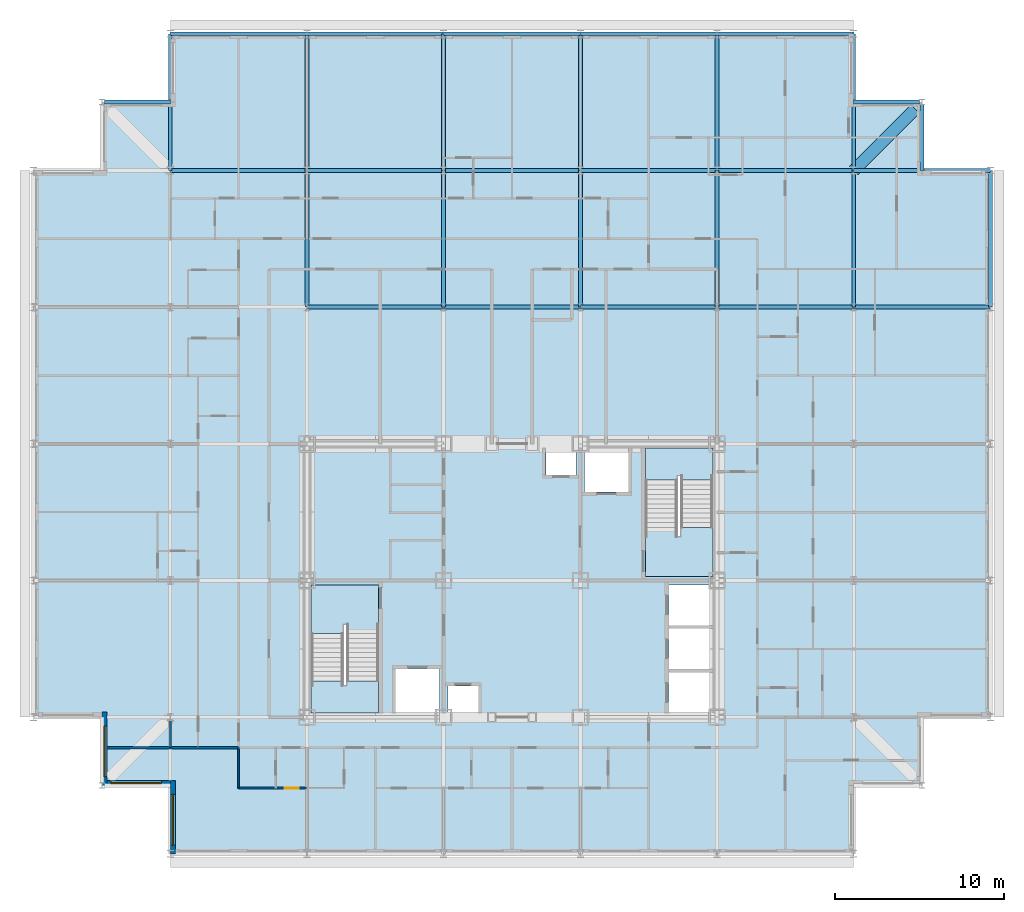
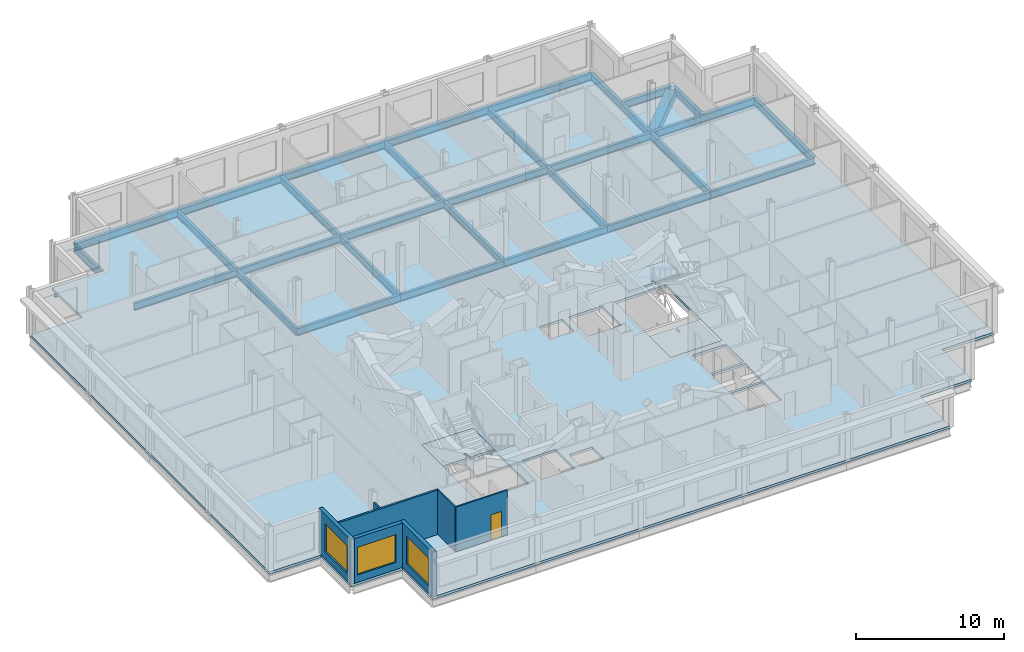
# One storey, part 6 of 15: 32 beams, 7 walls, 5 slabs, 3 windows, 1 door, 4 openings, 2 elements without a shape of their own.
"""IFC4 building model written with IfcOpenShell, lengths in metres."""

from ifc_helpers import new_model, si_unit, direction, frame, frame_2d, origin, origin_2d, place, context, subcontext, project, spatial, polyline, rectangle, hollow_rectangle, i_section, outline, extrude, material, layer, layer_set, material_profile, profile_set, type_object, element, fill, aggregate, save


model = new_model("IFC4")

# Units and contexts
model_context = context("Model", 3, precision=1e-05, world=origin(), true_north=direction((0.0, 1.0)))
body_context = subcontext(model_context, "Body", "Model", "MODEL_VIEW")
ifc_project = project(units=[si_unit("LENGTHUNIT", "METRE"), si_unit("AREAUNIT", "SQUARE_METRE"), si_unit("VOLUMEUNIT", "CUBIC_METRE"), si_unit("PLANEANGLEUNIT", "RADIAN"), si_unit("MASSUNIT", "GRAM", prefix="KILO")], contexts=[model_context])

# Site, building, storey
site_placement = place(None, origin())
site = spatial("IfcSite", under=ifc_project, at=site_placement, CompositionType="ELEMENT")
building_placement = place(site_placement, origin())
building = spatial("IfcBuilding", under=site, at=building_placement, Name="Kopane Lantern Tower", CompositionType="ELEMENT")
storey_placement = place(building_placement, frame((0.0, 0.0, 250.199951171875)))
storey = spatial("IfcBuildingStorey", under=building, at=storey_placement, Name="L64", CompositionType="ELEMENT", Elevation=250.199951171875)

# Beams
ifc_material_1 = material(Name="Steel S355JR", Category="steel")
ifc_material_profile_1 = material_profile(ifc_material_1, hollow_rectangle(XDim=0.699951171875, YDim=0.699951171875, WallThickness=0.06005859375, at=origin_2d()), Name="BOX 700x700x60")
ifc_profile_set_1 = profile_set([ifc_material_profile_1], Name="Steel S355JR")
beam_type_1 = type_object("IfcBeamType", Name="CORNER TIE BEAM BOX 700x700x60", PredefinedType="BEAM", material=ifc_profile_set_1)
beam_1_placement = place(storey_placement, frame((52.25244140625, 60.3525390625, -0.56005859375), z_axis=(-0.707083148333, -0.70713041325, 0.0), x_axis=(0.70713041325, -0.707083148333, 0.0)))
element("IfcBeam", 1, at=beam_1_placement, inside=storey, type_object=beam_type_1, Name="Corner Tie Beam L64", PredefinedType="BEAM", context=body_context, shape_type="SweptSolid", body=[
    extrude(hollow_rectangle(XDim=0.699951171875, YDim=0.699951171875, WallThickness=0.06005859375, at=origin_2d()), origin(), (0.0, 0.0, 1.0), 5.165283203125),
])
ifc_material_2 = material(Name="Steel S355JR", Category="steel")
ifc_material_profile_2 = material_profile(ifc_material_2, i_section(OverallWidth=0.22900390625, OverallDepth=0.6123046875, WebThickness=0.011962890625, FlangeThickness=0.01953125, FilletRadius=0.0126953125, at=origin_2d()), Name="UB 610x229x125")
ifc_profile_set_2 = profile_set([ifc_material_profile_2], Name="Steel S355JR")
beam_type_2 = type_object("IfcBeamType", Name="EDGE BEAM UB 610x229x125", PredefinedType="BEAM", material=ifc_profile_set_2)
beam_2_placement = place(storey_placement, frame((4.20361328125, 60.75, -0.51611328125), z_axis=(1.0, 0.0, 0.0), x_axis=(0.0, 1.0, 0.0)))
element("IfcBeam", 2, at=beam_2_placement, inside=storey, type_object=beam_type_2, Name="Edge Beam L64", PredefinedType="BEAM", context=body_context, shape_type="SweptSolid", body=[
    extrude(i_section(OverallWidth=0.22900390625, OverallDepth=0.6123046875, WebThickness=0.011962890625, FlangeThickness=0.01953125, FilletRadius=0.0126953125, at=origin_2d()), origin(), (0.0, 0.0, 1.0), 3.896484375),
])
for number, where, z_axis, x_axis, name in (
    (3, (52.496337890625, 60.75, -0.51611328125), (-1.0, 0.0, 0.0), (0.0, -1.0, 0.0), "Edge Beam L64"),
    (4, (52.64990234375, 60.59619140625, -0.51611328125), (0.0, -1.0, 0.0), (1.0, 0.0, 0.0), "Edge Beam L64"),
):
    element("IfcBeam", number, at=place(storey_placement, frame(where, z_axis=z_axis, x_axis=x_axis)), inside=storey, type_object=beam_type_2, Name=name, PredefinedType="BEAM", context=body_context, shape_type="SweptSolid", body=[
        extrude(i_section(OverallWidth=0.22900390625, OverallDepth=0.6123046875, WebThickness=0.011962890625, FlangeThickness=0.01953125, FilletRadius=0.0126953125, at=origin_2d()), origin(), (0.0, 0.0, 1.0), 3.896240234375),
    ])
ifc_material_3 = material(Name="Steel S355JR", Category="steel")
ifc_material_profile_3 = material_profile(ifc_material_3, i_section(OverallWidth=0.22900390625, OverallDepth=0.6123046875, WebThickness=0.011962890625, FlangeThickness=0.01953125, FilletRadius=0.0126953125, at=origin_2d()), Name="UB 610x229x125")
ifc_profile_set_3 = profile_set([ifc_material_profile_3], Name="Steel S355JR")
beam_type_3 = type_object("IfcBeamType", Name="GIRDER UB 610x229x125", PredefinedType="BEAM", material=ifc_profile_set_3)
beam_3_placement = place(storey_placement, frame((8.10009765625, 56.699951171875, -0.51611328125), z_axis=(0.0, 1.0, 0.0), x_axis=(-1.0, 0.0, 0.0)))
element("IfcBeam", 5, at=beam_3_placement, inside=storey, type_object=beam_type_3, Name="Girder L64", PredefinedType="BEAM", context=body_context, shape_type="SweptSolid", body=[
    extrude(i_section(OverallWidth=0.22900390625, OverallDepth=0.6123046875, WebThickness=0.011962890625, FlangeThickness=0.01953125, FilletRadius=0.0126953125, at=origin_2d()), origin(), (0.0, 0.0, 1.0), 8.10009765625),
])
for number, where, z_axis, x_axis, name in (
    (6, (8.10009765625, 56.699951171875, -0.51611328125), (1.0, 0.0, 0.0), (0.0, 1.0, 0.0), "Girder L64"),
    (7, (8.10009765625, 64.800048828125, -0.51611328125), (1.0, 0.0, 0.0), (0.0, 1.0, 0.0), "Girder L64"),
    (8, (16.199951171875, 48.60009765625, -0.51611328125), (0.0, 1.0, 0.0), (-1.0, 0.0, 0.0), "Girder L64"),
):
    element("IfcBeam", number, at=place(storey_placement, frame(where, z_axis=z_axis, x_axis=x_axis)), inside=storey, type_object=beam_type_3, Name=name, PredefinedType="BEAM", context=body_context, shape_type="SweptSolid", body=[
        extrude(i_section(OverallWidth=0.22900390625, OverallDepth=0.6123046875, WebThickness=0.011962890625, FlangeThickness=0.01953125, FilletRadius=0.0126953125, at=origin_2d()), origin(), (0.0, 0.0, 1.0), 8.099853515625),
    ])
for number, where, z_axis, x_axis, name in (
    (9, (16.199951171875, 48.60009765625, -0.51611328125), (1.0, 0.0, 0.0), (0.0, 1.0, 0.0), "Girder L64"),
    (10, (16.199951171875, 56.699951171875, -0.51611328125), (0.0, 1.0, 0.0), (-1.0, 0.0, 0.0), "Girder L64"),
    (11, (16.199951171875, 56.699951171875, -0.51611328125), (1.0, 0.0, 0.0), (0.0, 1.0, 0.0), "Girder L64"),
    (12, (16.199951171875, 64.800048828125, -0.51611328125), (1.0, 0.0, 0.0), (0.0, 1.0, 0.0), "Girder L64"),
):
    element("IfcBeam", number, at=place(storey_placement, frame(where, z_axis=z_axis, x_axis=x_axis)), inside=storey, type_object=beam_type_3, Name=name, PredefinedType="BEAM", context=body_context, shape_type="SweptSolid", body=[
        extrude(i_section(OverallWidth=0.22900390625, OverallDepth=0.6123046875, WebThickness=0.011962890625, FlangeThickness=0.01953125, FilletRadius=0.0126953125, at=origin_2d()), origin(), (0.0, 0.0, 1.0), 8.10009765625),
    ])
for number, where, z_axis, x_axis, name in (
    (13, (24.300048828125, 48.60009765625, -0.51611328125), (0.0, 1.0, 0.0), (-1.0, 0.0, 0.0), "Girder L64"),
    (14, (24.300048828125, 48.60009765625, -0.51611328125), (1.0, 0.0, 0.0), (0.0, 1.0, 0.0), "Girder L64"),
):
    element("IfcBeam", number, at=place(storey_placement, frame(where, z_axis=z_axis, x_axis=x_axis)), inside=storey, type_object=beam_type_3, Name=name, PredefinedType="BEAM", context=body_context, shape_type="SweptSolid", body=[
        extrude(i_section(OverallWidth=0.22900390625, OverallDepth=0.6123046875, WebThickness=0.011962890625, FlangeThickness=0.01953125, FilletRadius=0.0126953125, at=origin_2d()), origin(), (0.0, 0.0, 1.0), 8.099853515625),
    ])
beam_4_placement = place(storey_placement, frame((24.300048828125, 56.699951171875, -0.51611328125), z_axis=(0.0, 1.0, 0.0), x_axis=(-1.0, 0.0, 0.0)))
element("IfcBeam", 15, at=beam_4_placement, inside=storey, type_object=beam_type_3, Name="Girder L64", PredefinedType="BEAM", context=body_context, shape_type="SweptSolid", body=[
    extrude(i_section(OverallWidth=0.22900390625, OverallDepth=0.6123046875, WebThickness=0.011962890625, FlangeThickness=0.01953125, FilletRadius=0.0126953125, at=origin_2d()), origin(), (0.0, 0.0, 1.0), 8.10009765625),
])
for number, where, z_axis, x_axis, name in (
    (16, (24.300048828125, 56.699951171875, -0.51611328125), (1.0, 0.0, 0.0), (0.0, 1.0, 0.0), "Girder L64"),
    (17, (24.300048828125, 64.800048828125, -0.51611328125), (1.0, 0.0, 0.0), (0.0, 1.0, 0.0), "Girder L64"),
    (18, (32.39990234375, 48.60009765625, -0.51611328125), (0.0, 1.0, 0.0), (-1.0, 0.0, 0.0), "Girder L64"),
):
    element("IfcBeam", number, at=place(storey_placement, frame(where, z_axis=z_axis, x_axis=x_axis)), inside=storey, type_object=beam_type_3, Name=name, PredefinedType="BEAM", context=body_context, shape_type="SweptSolid", body=[
        extrude(i_section(OverallWidth=0.22900390625, OverallDepth=0.6123046875, WebThickness=0.011962890625, FlangeThickness=0.01953125, FilletRadius=0.0126953125, at=origin_2d()), origin(), (0.0, 0.0, 1.0), 8.099853515625),
    ])
for number, where, z_axis, x_axis, name in (
    (19, (32.39990234375, 48.60009765625, -0.51611328125), (1.0, 0.0, 0.0), (0.0, 1.0, 0.0), "Girder L64"),
    (20, (32.39990234375, 56.699951171875, -0.51611328125), (0.0, 1.0, 0.0), (-1.0, 0.0, 0.0), "Girder L64"),
    (21, (32.39990234375, 56.699951171875, -0.51611328125), (1.0, 0.0, 0.0), (0.0, 1.0, 0.0), "Girder L64"),
    (22, (32.39990234375, 64.800048828125, -0.51611328125), (1.0, 0.0, 0.0), (0.0, 1.0, 0.0), "Girder L64"),
):
    element("IfcBeam", number, at=place(storey_placement, frame(where, z_axis=z_axis, x_axis=x_axis)), inside=storey, type_object=beam_type_3, Name=name, PredefinedType="BEAM", context=body_context, shape_type="SweptSolid", body=[
        extrude(i_section(OverallWidth=0.22900390625, OverallDepth=0.6123046875, WebThickness=0.011962890625, FlangeThickness=0.01953125, FilletRadius=0.0126953125, at=origin_2d()), origin(), (0.0, 0.0, 1.0), 8.10009765625),
    ])
beam_5_placement = place(storey_placement, frame((40.5, 48.60009765625, -0.51611328125), z_axis=(0.0, 1.0, 0.0), x_axis=(-1.0, 0.0, 0.0)))
element("IfcBeam", 23, at=beam_5_placement, inside=storey, type_object=beam_type_3, Name="Girder L64", PredefinedType="BEAM", context=body_context, shape_type="SweptSolid", body=[
    extrude(i_section(OverallWidth=0.22900390625, OverallDepth=0.6123046875, WebThickness=0.011962890625, FlangeThickness=0.01953125, FilletRadius=0.0126953125, at=origin_2d()), origin(), (0.0, 0.0, 1.0), 8.099853515625),
])
for number, where, z_axis, x_axis, name in (
    (24, (40.5, 48.60009765625, -0.51611328125), (1.0, 0.0, 0.0), (0.0, 1.0, 0.0), "Girder L64"),
    (25, (40.5, 56.699951171875, -0.51611328125), (0.0, 1.0, 0.0), (-1.0, 0.0, 0.0), "Girder L64"),
    (26, (40.5, 56.699951171875, -0.51611328125), (1.0, 0.0, 0.0), (0.0, 1.0, 0.0), "Girder L64"),
    (27, (40.5, 64.800048828125, -0.51611328125), (1.0, 0.0, 0.0), (0.0, 1.0, 0.0), "Girder L64"),
):
    element("IfcBeam", number, at=place(storey_placement, frame(where, z_axis=z_axis, x_axis=x_axis)), inside=storey, type_object=beam_type_3, Name=name, PredefinedType="BEAM", context=body_context, shape_type="SweptSolid", body=[
        extrude(i_section(OverallWidth=0.22900390625, OverallDepth=0.6123046875, WebThickness=0.011962890625, FlangeThickness=0.01953125, FilletRadius=0.0126953125, at=origin_2d()), origin(), (0.0, 0.0, 1.0), 8.10009765625),
    ])
for number, where, z_axis, x_axis, name in (
    (28, (48.60009765625, 48.60009765625, -0.51611328125), (0.0, 1.0, 0.0), (-1.0, 0.0, 0.0), "Girder L64"),
    (29, (48.60009765625, 48.60009765625, -0.51611328125), (1.0, 0.0, 0.0), (0.0, 1.0, 0.0), "Girder L64"),
):
    element("IfcBeam", number, at=place(storey_placement, frame(where, z_axis=z_axis, x_axis=x_axis)), inside=storey, type_object=beam_type_3, Name=name, PredefinedType="BEAM", context=body_context, shape_type="SweptSolid", body=[
        extrude(i_section(OverallWidth=0.22900390625, OverallDepth=0.6123046875, WebThickness=0.011962890625, FlangeThickness=0.01953125, FilletRadius=0.0126953125, at=origin_2d()), origin(), (0.0, 0.0, 1.0), 8.099853515625),
    ])
beam_6_placement = place(storey_placement, frame((48.60009765625, 56.699951171875, -0.51611328125), z_axis=(0.0, 1.0, 0.0), x_axis=(-1.0, 0.0, 0.0)))
element("IfcBeam", 30, at=beam_6_placement, inside=storey, type_object=beam_type_3, Name="Girder L64", PredefinedType="BEAM", context=body_context, shape_type="SweptSolid", body=[
    extrude(i_section(OverallWidth=0.22900390625, OverallDepth=0.6123046875, WebThickness=0.011962890625, FlangeThickness=0.01953125, FilletRadius=0.0126953125, at=origin_2d()), origin(), (0.0, 0.0, 1.0), 8.10009765625),
])
for number, where, z_axis, x_axis, name in (
    (31, (48.60009765625, 56.699951171875, -0.51611328125), (1.0, 0.0, 0.0), (0.0, 1.0, 0.0), "Girder L64"),
    (32, (56.699951171875, 48.60009765625, -0.51611328125), (0.0, 1.0, 0.0), (-1.0, 0.0, 0.0), "Girder L64"),
):
    element("IfcBeam", number, at=place(storey_placement, frame(where, z_axis=z_axis, x_axis=x_axis)), inside=storey, type_object=beam_type_3, Name=name, PredefinedType="BEAM", context=body_context, shape_type="SweptSolid", body=[
        extrude(i_section(OverallWidth=0.22900390625, OverallDepth=0.6123046875, WebThickness=0.011962890625, FlangeThickness=0.01953125, FilletRadius=0.0126953125, at=origin_2d()), origin(), (0.0, 0.0, 1.0), 8.099853515625),
    ])

# Slab
ifc_material_4 = material(Name="Concrete C40/50", Category="concrete")
ifc_layer_1 = layer(ifc_material_4, 0.2099609375)
ifc_layer_set_1 = layer_set([ifc_layer_1], Name="SLAB 210 COMPOSITE")
slab_type_1 = type_object("IfcSlabType", Name="SLAB 210 COMPOSITE", PredefinedType="FLOOR", material=ifc_layer_set_1)
slab_1_placement = place(storey_placement, frame((0.0, 0.0, -0.2099609375)))
element("IfcSlab", 33, at=slab_1_placement, inside=storey, type_object=slab_type_1, Name="Floor slab L64", PredefinedType="FLOOR", context=body_context, shape_type="SweptSolid", body=[
    extrude(outline(polyline([(8.10009765625, 16.199951171875), (48.60009765625, 16.199951171875), (48.60009765625, 20.25), (52.64990234375, 20.25), (52.64990234375, 24.300048828125), (56.699951171875, 24.300048828125), (56.699951171875, 56.699951171875), (52.64990234375, 56.699951171875), (52.64990234375, 60.75), (48.60009765625, 60.75), (48.60009765625, 64.800048828125), (8.10009765625, 64.800048828125), (8.10009765625, 60.75), (4.050048828125, 60.75), (4.050048828125, 56.699951171875), (0.0, 56.699951171875), (0.0, 24.300048828125), (4.050048828125, 24.300048828125), (4.050048828125, 20.25), (8.10009765625, 20.25), (8.10009765625, 16.199951171875)]), holes=[polyline([(16.449951171875, 24.550048828125), (20.449951171875, 24.550048828125), (20.449951171875, 32.14990234375), (16.449951171875, 32.14990234375), (16.449951171875, 24.550048828125)]), polyline([(36.25, 32.64990234375), (40.25, 32.64990234375), (40.25, 40.25), (36.25, 40.25), (36.25, 32.64990234375)]), polyline([(37.64990234375, 24.550048828125), (40.25, 24.550048828125), (40.25, 26.949951171875), (37.64990234375, 26.949951171875), (37.64990234375, 24.550048828125)]), polyline([(37.64990234375, 27.14990234375), (40.25, 27.14990234375), (40.25, 29.550048828125), (37.64990234375, 29.550048828125), (37.64990234375, 27.14990234375)]), polyline([(37.64990234375, 29.75), (40.25, 29.75), (40.25, 32.14990234375), (37.64990234375, 32.14990234375), (37.64990234375, 29.75)]), polyline([(21.449951171875, 24.550048828125), (24.050048828125, 24.550048828125), (24.050048828125, 27.14990234375), (21.449951171875, 27.14990234375), (21.449951171875, 24.550048828125)]), polyline([(32.64990234375, 37.64990234375), (35.25, 37.64990234375), (35.25, 40.25), (32.64990234375, 40.25), (32.64990234375, 37.64990234375)]), polyline([(24.550048828125, 24.550048828125), (26.35009765625, 24.550048828125), (26.35009765625, 26.14990234375), (24.550048828125, 26.14990234375), (24.550048828125, 24.550048828125)]), polyline([(30.35009765625, 38.64990234375), (32.14990234375, 38.64990234375), (32.14990234375, 40.25), (30.35009765625, 40.25), (30.35009765625, 38.64990234375)])]), origin(), (0.0, 0.0, 1.0), 0.2099609375),
])

# Stair, slabs
ifc_material_5 = material(Name="Steel S355JR", Category="steel")
stair_type = type_object("IfcStairType", Name="EXIT STAIR 1900 HALF TURN", PredefinedType="HALF_TURN_STAIR", material=ifc_material_5)
stair_1_placement = place(storey_placement, origin())
stair_1 = element("IfcStair", 34, at=stair_1_placement, inside=storey, type_object=stair_type, Name="Exit stair ST1 L64", PredefinedType="HALF_TURN_STAIR")
ifc_material_6 = material(Name="Concrete C40/50", Category="concrete")
ifc_layer_2 = layer(ifc_material_6, 0.199951171875)
ifc_layer_set_2 = layer_set([ifc_layer_2], Name="STAIR LANDING 200")
slab_type_2 = type_object("IfcSlabType", Name="STAIR LANDING 200", PredefinedType="LANDING", material=ifc_layer_set_2)
slab_2_placement = place(storey_placement, frame((0.0, 0.0, -0.199951171875)))
slab_2 = element("IfcSlab", 35, at=slab_2_placement, type_object=slab_type_2, Name="ST1 landing 1", PredefinedType="LANDING", context=body_context, shape_type="SweptSolid", body=[
    extrude(outline(polyline([(18.35009765625, 29.81005859375), (18.550048828125, 29.81005859375), (18.550048828125, 29.25), (20.449951171875, 29.25), (20.449951171875, 32.14990234375), (16.449951171875, 32.14990234375), (16.449951171875, 29.25), (18.35009765625, 29.25), (18.35009765625, 29.81005859375)])), origin(), (0.0, 0.0, 1.0), 0.199951171875),
])
slab_3_placement = place(storey_placement, frame((0.0, 0.0, 1.8349609375)))
slab_3 = element("IfcSlab", 36, at=slab_3_placement, type_object=slab_type_2, Name="ST1 landing 2", PredefinedType="LANDING", context=body_context, shape_type="SweptSolid", body=[
    extrude(outline(polyline([(20.449951171875, 26.449951171875), (18.550048828125, 26.449951171875), (18.550048828125, 26.169921875), (18.35009765625, 26.169921875), (18.35009765625, 26.449951171875), (16.449951171875, 26.449951171875), (16.449951171875, 24.550048828125), (20.449951171875, 24.550048828125), (20.449951171875, 26.449951171875)])), origin(), (0.0, 0.0, 1.0), 0.199951171875),
])
aggregate(stair_1, [slab_2, slab_3])

stair_2_placement = place(storey_placement, origin())
stair_2 = element("IfcStair", 37, at=stair_2_placement, inside=storey, type_object=stair_type, Name="Exit stair ST2 L64", PredefinedType="HALF_TURN_STAIR")
slab_4_placement = place(storey_placement, frame((0.0, 0.0, -0.199951171875)))
slab_4 = element("IfcSlab", 38, at=slab_4_placement, type_object=slab_type_2, Name="ST2 landing 1", PredefinedType="LANDING", context=body_context, shape_type="SweptSolid", body=[
    extrude(outline(polyline([(40.25, 35.550048828125), (38.35009765625, 35.550048828125), (38.35009765625, 34.989990234375), (38.14990234375, 34.989990234375), (38.14990234375, 35.550048828125), (36.25, 35.550048828125), (36.25, 32.64990234375), (40.25, 32.64990234375), (40.25, 35.550048828125)])), origin(), (0.0, 0.0, 1.0), 0.199951171875),
])
slab_5_placement = place(storey_placement, frame((0.0, 0.0, 1.8349609375)))
slab_5 = element("IfcSlab", 39, at=slab_5_placement, type_object=slab_type_2, Name="ST2 landing 2", PredefinedType="LANDING", context=body_context, shape_type="SweptSolid", body=[
    extrude(outline(polyline([(38.14990234375, 38.6298828125), (38.35009765625, 38.6298828125), (38.35009765625, 38.35009765625), (40.25, 38.35009765625), (40.25, 40.25), (36.25, 40.25), (36.25, 38.35009765625), (38.14990234375, 38.35009765625), (38.14990234375, 38.6298828125)])), origin(), (0.0, 0.0, 1.0), 0.199951171875),
])
aggregate(stair_2, [slab_4, slab_5])

# Wall, opening, door
ifc_material_7 = material(Name="Gypsum board on steel studs", Category="steel")
ifc_layer_3 = layer(ifc_material_7, 0.1201171875)
ifc_layer_set_3 = layer_set([ifc_layer_3], Name="APARTMENT INTERNAL WALL 120")
wall_type_1 = type_object("IfcWallType", Name="APARTMENT INTERNAL WALL 120", PredefinedType="PARTITIONING", material=ifc_layer_set_3)
wall_1_placement = place(storey_placement, frame((12.14990234375, 20.10009765625, 0.0), z_axis=(0.0, 0.0, 1.0), x_axis=(1.0, 0.0, 0.0)))
wall_1 = element("IfcWall", 40, at=wall_1_placement, inside=storey, type_object=wall_type_1, Name="Apartment Internal Wall 120 L64", PredefinedType="PARTITIONING", context=body_context, shape_type="SweptSolid", body=[
    extrude(rectangle(XDim=4.050048828125, YDim=0.1201171875, at=frame_2d((2.02490234375, 0.0))), origin(), (0.0, 0.0, 1.0), 3.68994140625),
])
opening_1_placement = place(wall_1_placement, frame((2.72509765625, 0.0, 0.0)))
opening_1 = element("IfcOpeningElement", 41, at=opening_1_placement, cuts=wall_1, Name="Opening L64-038", PredefinedType="OPENING", context=body_context, shape_type="SweptSolid", body=[
    extrude(rectangle(XDim=0.85009765625, YDim=2.10009765625, at=frame_2d((0.425048828125, 1.050048828125))), frame((0.0, 0.070068359375, 0.0), z_axis=(0.0, -1.0, 0.0), x_axis=(1.0, 0.0, 0.0)), (0.0, 0.0, 1.0), 0.14013671875),
])
ifc_material_8 = material(Name="Timber door set", Category="wood")
door_type = type_object("IfcDoorType", Name="DOOR D4 850x2100", OperationType="SINGLE_SWING_LEFT", PredefinedType="DOOR", material=ifc_material_8)
door_placement = place(opening_1_placement, origin())
door = element("IfcDoor", 42, at=door_placement, inside=storey, type_object=door_type, Name="Door L64-038", OperationType="SINGLE_SWING_LEFT", OverallHeight=2.10009765625, OverallWidth=0.85009765625, PredefinedType="DOOR", context=body_context, shape_type="SweptSolid", body=[
    extrude(rectangle(XDim=0.85009765625, YDim=2.10009765625, at=frame_2d((0.425048828125, 1.050048828125))), frame((0.0, 0.02490234375, 0.0), z_axis=(0.0, -1.0, 0.0), x_axis=(1.0, 0.0, 0.0)), (0.0, 0.0, 1.0), 0.050048828125),
])
fill(opening_1, door)

# Walls
wall_2_placement = place(storey_placement, frame((8.10009765625, 22.5, 0.0), z_axis=(0.0, 0.0, 1.0), x_axis=(0.0, 1.0, 0.0)))
element("IfcWall", 43, at=wall_2_placement, inside=storey, type_object=wall_type_1, Name="Apartment Internal Wall 120 L64", PredefinedType="PARTITIONING", context=body_context, shape_type="SweptSolid", body=[
    extrude(rectangle(XDim=1.596923828125, YDim=0.1201171875, at=frame_2d((0.79833984375, 0.0))), origin(), (0.0, 0.0, 1.0), 3.077880859375),
])
ifc_material_9 = material(Name="Moisture-resistant board on steel studs", Category="steel")
ifc_layer_4 = layer(ifc_material_9, 0.10009765625)
ifc_layer_set_4 = layer_set([ifc_layer_4], Name="BATHROOM WALL 100")
wall_type_2 = type_object("IfcWallType", Name="BATHROOM WALL 100", PredefinedType="PARTITIONING", material=ifc_layer_set_4)
wall_3_placement = place(storey_placement, frame((12.14990234375, 22.5, 0.0), z_axis=(0.0, 0.0, 1.0), x_axis=(0.0, -1.0, 0.0)))
element("IfcWall", 44, at=wall_3_placement, inside=storey, type_object=wall_type_2, Name="Bathroom Wall 100 L64", PredefinedType="PARTITIONING", context=body_context, shape_type="SweptSolid", body=[
    extrude(rectangle(XDim=2.39990234375, YDim=0.10009765625, at=frame_2d((1.199951171875, 0.0))), origin(), (0.0, 0.0, 1.0), 3.68994140625),
])
ifc_material_10 = material(Name="Gypsum board on steel studs", Category="steel")
ifc_layer_5 = layer(ifc_material_10, 0.14990234375)
ifc_layer_set_5 = layer_set([ifc_layer_5], Name="DEMISING WALL 150 EI 60")
wall_type_3 = type_object("IfcWallType", Name="DEMISING WALL 150 EI 60", PredefinedType="PARTITIONING", material=ifc_layer_set_5)
wall_4_placement = place(storey_placement, frame((4.35009765625, 22.5, 0.0), z_axis=(0.0, 0.0, 1.0), x_axis=(1.0, 0.0, 0.0)))
element("IfcWall", 45, at=wall_4_placement, inside=storey, type_object=wall_type_3, Name="Demising Wall 150 Ei 60 L64", PredefinedType="PARTITIONING", context=body_context, shape_type="SweptSolid", body=[
    extrude(rectangle(XDim=7.7998046875, YDim=0.14990234375, at=frame_2d((3.89990234375, 0.0))), origin(), (0.0, 0.0, 1.0), 3.68994140625),
])

# Wall, opening, window
ifc_material_11 = material(Name="Terracotta rainscreen on light steel framing", Category="masonry")
ifc_layer_6 = layer(ifc_material_11, 0.300048828125)
ifc_layer_set_6 = layer_set([ifc_layer_6], Name="EXTERNAL WALL EW1 300 TERRACOTTA")
wall_type_4 = type_object("IfcWallType", Name="EXTERNAL WALL EW1 300 TERRACOTTA", PredefinedType="SOLIDWALL", material=ifc_layer_set_6)
wall_5_placement = place(storey_placement, frame((4.199951171875, 24.60009765625, 0.0), z_axis=(0.0, 0.0, 1.0), x_axis=(0.0, -1.0, 0.0)))
wall_5 = element("IfcWall", 46, at=wall_5_placement, inside=storey, type_object=wall_type_4, Name="External wall W L64", PredefinedType="SOLIDWALL", context=body_context, shape_type="SweptSolid", body=[
    extrude(rectangle(XDim=4.35009765625, YDim=0.300048828125, at=frame_2d((2.175048828125, 0.0))), origin(), (0.0, 0.0, 1.0), 3.68994140625),
])
opening_2_placement = place(wall_5_placement, frame((0.824951171875, 0.0, 0.60009765625)))
opening_2 = element("IfcOpeningElement", 47, at=opening_2_placement, cuts=wall_5, Name="Opening WR300230", PredefinedType="OPENING", context=body_context, shape_type="SweptSolid", body=[
    extrude(rectangle(XDim=3.0, YDim=2.300048828125, at=frame_2d((1.5, 1.14990234375))), frame((0.0, 0.159912109375, 0.0), z_axis=(0.0, -1.0, 0.0), x_axis=(1.0, 0.0, 0.0)), (0.0, 0.0, 1.0), 0.320068359375),
])
ifc_material_12 = material(Name="Aluminium and clear glass", Category="aluminium")
window_type = type_object("IfcWindowType", Name="RIBBON WINDOW WR300230 3000x2300", PartitioningType="SINGLE_PANEL", PredefinedType="WINDOW", material=ifc_material_12)
window_1_placement = place(opening_2_placement, origin())
window_1 = element("IfcWindow", 48, at=window_1_placement, inside=storey, type_object=window_type, Name="Window W L64", OverallHeight=2.300048828125, OverallWidth=3.0, PartitioningType="SINGLE_PANEL", PredefinedType="WINDOW", context=body_context, shape_type="SweptSolid", body=[
    extrude(rectangle(XDim=3.0, YDim=2.300048828125, at=frame_2d((1.5, 1.14990234375))), frame((0.0, 0.030029296875, 0.0), z_axis=(0.0, -1.0, 0.0), x_axis=(1.0, 0.0, 0.0)), (0.0, 0.0, 1.0), 0.06005859375),
])
fill(opening_2, window_1)

wall_6_placement = place(storey_placement, frame((4.35009765625, 20.39990234375, 0.0), z_axis=(0.0, 0.0, 1.0), x_axis=(1.0, 0.0, 0.0)))
wall_6 = element("IfcWall", 49, at=wall_6_placement, inside=storey, type_object=wall_type_4, Name="External wall S L64", PredefinedType="SOLIDWALL", context=body_context, shape_type="SweptSolid", body=[
    extrude(rectangle(XDim=3.75, YDim=0.300048828125, at=frame_2d((1.875, 0.0))), origin(), (0.0, 0.0, 1.0), 3.68994140625),
])
opening_3_placement = place(wall_6_placement, frame((0.22509765625, 0.0, 0.60009765625)))
opening_3 = element("IfcOpeningElement", 50, at=opening_3_placement, cuts=wall_6, Name="Opening WR300230", PredefinedType="OPENING", context=body_context, shape_type="SweptSolid", body=[
    extrude(rectangle(XDim=3.0, YDim=2.300048828125, at=frame_2d((1.5, 1.14990234375))), frame((0.0, 0.159912109375, 0.0), z_axis=(0.0, -1.0, 0.0), x_axis=(1.0, 0.0, 0.0)), (0.0, 0.0, 1.0), 0.320068359375),
])
window_2_placement = place(opening_3_placement, origin())
window_2 = element("IfcWindow", 51, at=window_2_placement, inside=storey, type_object=window_type, Name="Window S L64", OverallHeight=2.300048828125, OverallWidth=3.0, PartitioningType="SINGLE_PANEL", PredefinedType="WINDOW", context=body_context, shape_type="SweptSolid", body=[
    extrude(rectangle(XDim=3.0, YDim=2.300048828125, at=frame_2d((1.5, 1.14990234375))), frame((0.0, 0.030029296875, 0.0), z_axis=(0.0, -1.0, 0.0), x_axis=(1.0, 0.0, 0.0)), (0.0, 0.0, 1.0), 0.06005859375),
])
fill(opening_3, window_2)

wall_7_placement = place(storey_placement, frame((8.25, 20.550048828125, 0.0), z_axis=(0.0, 0.0, 1.0), x_axis=(0.0, -1.0, 0.0)))
wall_7 = element("IfcWall", 52, at=wall_7_placement, inside=storey, type_object=wall_type_4, Name="External wall W L64", PredefinedType="SOLIDWALL", context=body_context, shape_type="SweptSolid", body=[
    extrude(rectangle(XDim=4.35009765625, YDim=0.300048828125, at=frame_2d((2.175048828125, 0.0))), origin(), (0.0, 0.0, 1.0), 3.68994140625),
])
opening_4_placement = place(wall_7_placement, frame((0.824951171875, 0.0, 0.60009765625)))
opening_4 = element("IfcOpeningElement", 53, at=opening_4_placement, cuts=wall_7, Name="Opening WR300230", PredefinedType="OPENING", context=body_context, shape_type="SweptSolid", body=[
    extrude(rectangle(XDim=3.0, YDim=2.300048828125, at=frame_2d((1.5, 1.14990234375))), frame((0.0, 0.159912109375, 0.0), z_axis=(0.0, -1.0, 0.0), x_axis=(1.0, 0.0, 0.0)), (0.0, 0.0, 1.0), 0.320068359375),
])
window_3_placement = place(opening_4_placement, origin())
window_3 = element("IfcWindow", 54, at=window_3_placement, inside=storey, type_object=window_type, Name="Window W L64", OverallHeight=2.300048828125, OverallWidth=3.0, PartitioningType="SINGLE_PANEL", PredefinedType="WINDOW", context=body_context, shape_type="SweptSolid", body=[
    extrude(rectangle(XDim=3.0, YDim=2.300048828125, at=frame_2d((1.5, 1.14990234375))), frame((0.0, 0.030029296875, 0.0), z_axis=(0.0, -1.0, 0.0), x_axis=(1.0, 0.0, 0.0)), (0.0, 0.0, 1.0), 0.06005859375),
])
fill(opening_4, window_3)

save(model, "model.ifc")
